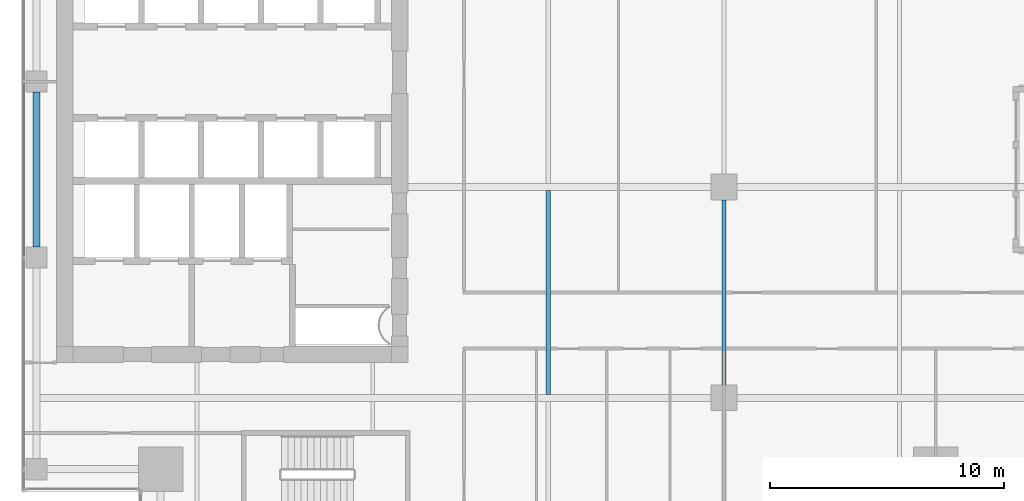
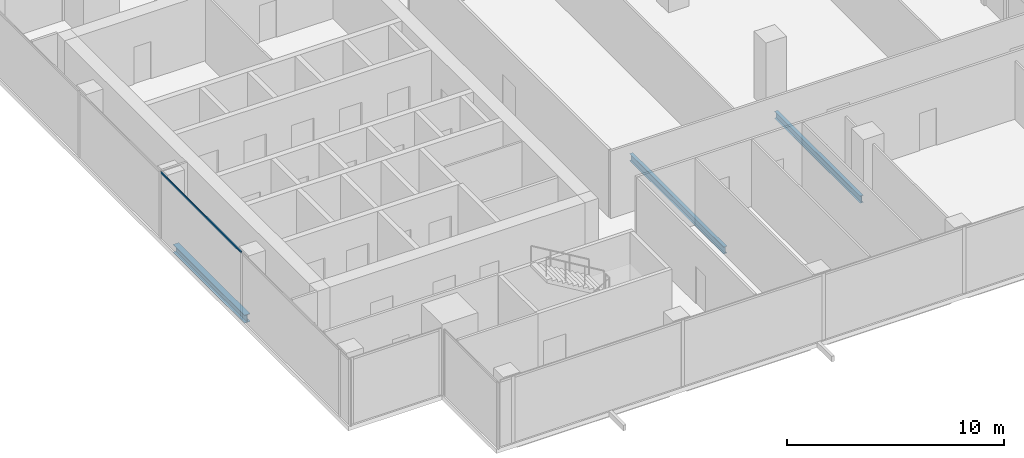
# One storey, part 7 of 36: 3 beams, 1 member, 1 element without a shape of its own.
"""IFC4 building model written with IfcOpenShell, lengths in metres."""

from ifc_helpers import new_model, si_unit, direction, frame, origin, origin_2d, place, context, subcontext, project, spatial, hollow_rectangle, i_section, extrude, source, transform, mapped, material, material_profile, profile_set, type_object, element, aggregate, save


model = new_model("IFC4")

# Units and contexts
model_context = context("Model", 3, precision=1e-05, world=origin(), true_north=direction((0.0, 1.0)))
body_context = subcontext(model_context, "Body", "Model", "MODEL_VIEW")
ifc_project = project(units=[si_unit("LENGTHUNIT", "METRE"), si_unit("AREAUNIT", "SQUARE_METRE"), si_unit("VOLUMEUNIT", "CUBIC_METRE"), si_unit("PLANEANGLEUNIT", "RADIAN"), si_unit("MASSUNIT", "GRAM", prefix="KILO")], contexts=[model_context])

# Site, building, storey
site_placement = place(None, origin())
site = spatial("IfcSite", under=ifc_project, at=site_placement, CompositionType="ELEMENT")
building_placement = place(site_placement, origin())
building = spatial("IfcBuilding", under=site, at=building_placement, Name="Khomas Fold Tower", CompositionType="ELEMENT")
storey_placement = place(building_placement, frame((0.0, 0.0, 230.199951171875)))
storey = spatial("IfcBuildingStorey", under=building, at=storey_placement, Name="L51", CompositionType="ELEMENT", Elevation=230.199951171875)

# Beams
ifc_material_1 = material(Name="Steel S355", Category="steel")
ifc_material_profile_1 = material_profile(ifc_material_1, i_section(OverallWidth=0.179931640625, OverallDepth=0.39990234375, WebThickness=0.008544921875, FlangeThickness=0.013427734375, at=origin_2d()), Name="IPE 400")
ifc_profile_set_1 = profile_set([ifc_material_profile_1], Name="Steel S355")
beam_type_1 = type_object("IfcBeamType", Name="IPE 400 beam JB3", PredefinedType="BEAM", material=ifc_profile_set_1)
shared_shape_1 = source(origin(), body_context, "Body", "SweptSolid", [
    extrude(i_section(OverallWidth=0.179931640625, OverallDepth=0.39990234375, WebThickness=0.008544921875, FlangeThickness=0.013427734375, at=origin_2d()), origin(), (0.0, 0.0, 1.0), 8.7001953125),
])
beam_1_placement = place(storey_placement, frame((27.0, 13.64990234375, -0.449951171875), z_axis=(0.0, 1.0, 0.0), x_axis=(-1.0, 0.0, 0.0)))
element("IfcBeam", 1, at=beam_1_placement, inside=storey, type_object=beam_type_1, Name="JB3", PredefinedType="BEAM", context=body_context, shape_type="MappedRepresentation", body=[
    mapped(shared_shape_1, transform((0.0, 0.0, 0.0))),
])
ifc_material_2 = material(Name="Steel S355", Category="steel")
ifc_material_profile_2 = material_profile(ifc_material_2, i_section(OverallWidth=0.300048828125, OverallDepth=0.449951171875, WebThickness=0.013916015625, FlangeThickness=0.02587890625, at=origin_2d()), Name="HE 450 B")
ifc_profile_set_2 = profile_set([ifc_material_profile_2], Name="Steel S355")
beam_type_2 = type_object("IfcBeamType", Name="HE 450 B spandrel SB4", PredefinedType="SPANDREL", material=ifc_profile_set_2)
shared_shape_2 = source(origin(), body_context, "Body", "SweptSolid", [
    extrude(i_section(OverallWidth=0.300048828125, OverallDepth=0.449951171875, WebThickness=0.013916015625, FlangeThickness=0.02587890625, at=origin_2d()), origin(), (0.0, 0.0, 1.0), 6.60009765625),
])
beam_2_placement = place(storey_placement, frame((5.14990234375, 19.949951171875, -0.474853515625), z_axis=(0.0, 1.0, 0.0), x_axis=(-1.0, 0.0, 0.0)))
element("IfcBeam", 2, at=beam_2_placement, inside=storey, type_object=beam_type_2, Name="SB4", PredefinedType="SPANDREL", context=body_context, shape_type="MappedRepresentation", body=[
    mapped(shared_shape_2, transform((0.0, 0.0, 0.0))),
])
shared_shape_3 = source(origin(), body_context, "Body", "SweptSolid", [
    extrude(i_section(OverallWidth=0.179931640625, OverallDepth=0.39990234375, WebThickness=0.008544921875, FlangeThickness=0.013427734375, at=origin_2d()), origin(), (0.0, 0.0, 1.0), 7.89990234375),
])
beam_3_placement = place(storey_placement, frame((34.5, 14.050048828125, -0.449951171875), z_axis=(0.0, 1.0, 0.0), x_axis=(-1.0, 0.0, 0.0)))
element("IfcBeam", 3, at=beam_3_placement, inside=storey, type_object=beam_type_1, Name="JB3", PredefinedType="BEAM", context=body_context, shape_type="MappedRepresentation", body=[
    mapped(shared_shape_3, transform((0.0, 0.0, 0.0))),
])

# Curtain wall, member
ifc_material_3 = material(Name="Aluminium framed double glazing", Category="aluminium")
curtain_wall_type = type_object("IfcCurtainWallType", Name="SK-Unitised clear-glass wall, office floors CW2", PredefinedType="NOTDEFINED", material=ifc_material_3)
curtain_wall_placement = place(storey_placement, origin())
curtain_wall = element("IfcCurtainWall", 4, at=curtain_wall_placement, inside=storey, type_object=curtain_wall_type, Name="CW2 run L51 09-0", PredefinedType="NOTDEFINED")
ifc_material_4 = material(Name="Aluminium", Category="aluminium")
ifc_material_profile_3 = material_profile(ifc_material_4, hollow_rectangle(XDim=0.050048828125, YDim=0.110107421875, WallThickness=0.00390625, at=origin_2d()), Name="SK-Unitised clear-glass wall, office floors transom CW2-T")
ifc_profile_set_3 = profile_set([ifc_material_profile_3], Name="Aluminium")
member_type = type_object("IfcMemberType", Name="SK-Unitised clear-glass wall, office floors transom CW2-T", PredefinedType="USERDEFINED", material=ifc_profile_set_3)
shared_shape_4 = source(origin(), body_context, "Body", "SweptSolid", [
    extrude(hollow_rectangle(XDim=0.050048828125, YDim=0.110107421875, WallThickness=0.00390625, at=origin_2d()), origin(), (0.0, 0.0, 1.0), 7.43994140625),
])
member_placement = place(storey_placement, frame((4.60009765625, 26.969970703125, 3.695068359375), z_axis=(0.0, -1.0, 0.0), x_axis=(1.0, 0.0, 0.0)))
member = element("IfcMember", 5, at=member_placement, type_object=member_type, Name="CW2 transom 4", ObjectType="TRANSOM", PredefinedType="USERDEFINED", context=body_context, shape_type="MappedRepresentation", body=[
    mapped(shared_shape_4, transform((0.0, 0.0, 0.0))),
])
aggregate(curtain_wall, [member])

save(model, "model.ifc")
